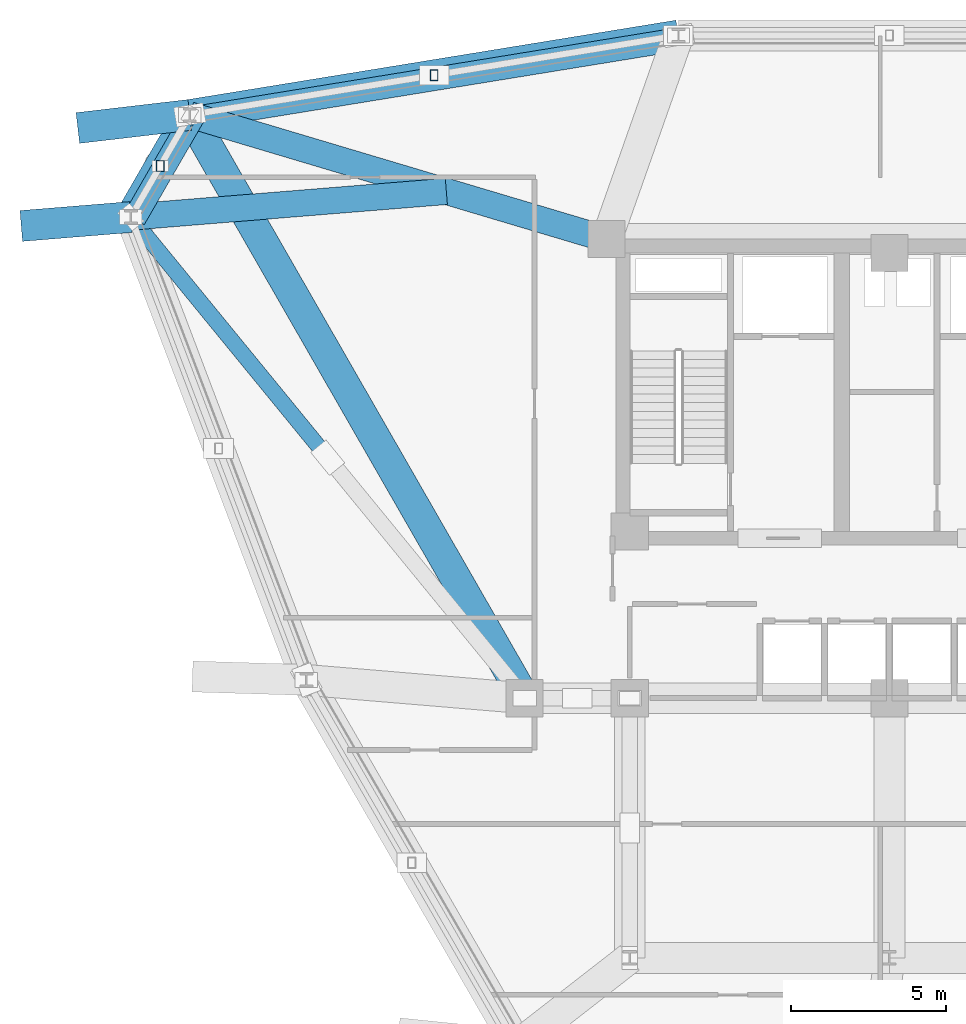
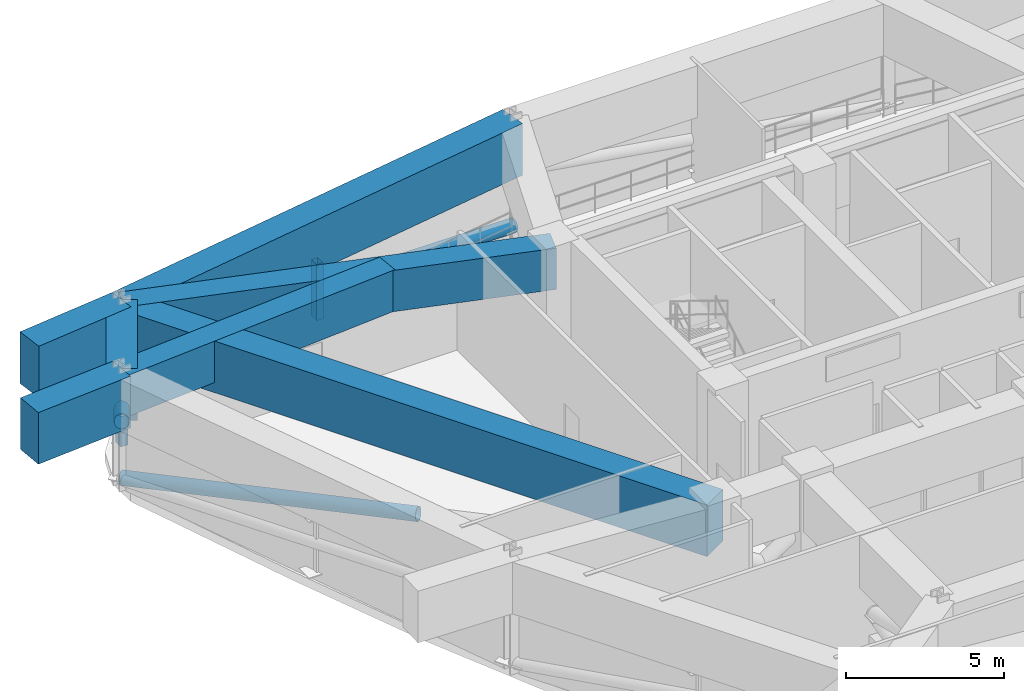
# One storey, part 5 of 13: 7 beams, 5 members.
"""IFC4 building model written with IfcOpenShell, lengths in metres."""

from ifc_helpers import new_model, si_unit, derived_unit, direction, frame, origin, origin_2d, place, context, subcontext, project, spatial, rectangle, hollow_rectangle, hollow_circle, extrude, source, transform, mapped, material, material_profile, profile_set, type_object, element, save


model = new_model("IFC4")

# Units and contexts
model_context = context("Model", 3, precision=1e-05, world=origin(), true_north=direction((0.0, 1.0)))
body_context = subcontext(model_context, "Body", "Model", "MODEL_VIEW")
ifc_project = project(units=[si_unit("LENGTHUNIT", "METRE"), si_unit("AREAUNIT", "SQUARE_METRE"), si_unit("VOLUMEUNIT", "CUBIC_METRE"), si_unit("PLANEANGLEUNIT", "RADIAN"), si_unit("MASSUNIT", "GRAM", prefix="KILO"), derived_unit("THERMALTRANSMITTANCEUNIT", [(si_unit("POWERUNIT", "WATT"), 1), (si_unit("LENGTHUNIT", "METRE"), -2), (si_unit("THERMODYNAMICTEMPERATUREUNIT", "KELVIN"), -1)])], contexts=[model_context])

# Site, building, storey
site_placement = place(None, origin())
site = spatial("IfcSite", under=ifc_project, at=site_placement, CompositionType="ELEMENT")
building_placement = place(site_placement, origin())
building = spatial("IfcBuilding", under=site, at=building_placement, Name="Korsvarv Bourse and Concert Hall", CompositionType="ELEMENT")
storey_placement = place(building_placement, frame((0.0, 0.0, 131.39990234375)))
storey = spatial("IfcBuildingStorey", under=building, at=storey_placement, Name="L33", CompositionType="ELEMENT", Elevation=131.39990234375)

# Beams
ifc_material_1 = material(Name="Concrete C60/75", Category="concrete")
ifc_material_profile_1 = material_profile(ifc_material_1, rectangle(XDim=1.0, YDim=2.0, at=origin_2d()), Name="RC-BM 1000x2000")
ifc_profile_set_1 = profile_set([ifc_material_profile_1], Name="Concrete C60/75")
beam_type_1 = type_object("IfcBeamType", Name="BM-TR1", PredefinedType="BEAM", material=ifc_profile_set_1)
shared_shape_1 = source(origin(), body_context, "Body", "SweptSolid", [
    extrude(rectangle(XDim=1.0, YDim=2.0, at=origin_2d()), origin(), (0.0, 0.0, 1.0), 3.81591796875),
])
beam_1_placement = place(storey_placement, frame((13.3662109375, 51.270751953125, 3.570068359375), z_axis=(-0.499999364504, -0.866025770688, 0.0), x_axis=(0.866025770688, -0.499999364504, 0.0)))
element("IfcBeam", 1, at=beam_1_placement, inside=storey, type_object=beam_type_1, Name="L33 beam B-TR1", PredefinedType="BEAM", context=body_context, shape_type="MappedRepresentation", body=[
    mapped(shared_shape_1, transform((0.0, 0.0, 0.0), scale=1.0)),
])
shared_shape_2 = source(origin(), body_context, "Body", "SweptSolid", [
    extrude(rectangle(XDim=1.0, YDim=2.0, at=origin_2d()), origin(), (0.0, 0.0, 1.0), 16.014892578125),
])
beam_2_placement = place(storey_placement, frame((29.17333984375, 53.84130859375, 3.570068359375), z_axis=(-0.98703396265, -0.160511546547, 0.0), x_axis=(0.160511546547, -0.98703396265, 0.0)))
element("IfcBeam", 2, at=beam_2_placement, inside=storey, type_object=beam_type_1, Name="L33 beam B-TR1", PredefinedType="BEAM", context=body_context, shape_type="MappedRepresentation", body=[
    mapped(shared_shape_2, transform((0.0, 0.0, 0.0), scale=1.0)),
])
shared_shape_3 = source(origin(), body_context, "Body", "SweptSolid", [
    extrude(rectangle(XDim=1.0, YDim=2.0, at=origin_2d()), origin(), (0.0, 0.0, 1.0), 21.759521484375),
])
beam_3_placement = place(storey_placement, frame((13.3662109375, 51.270751953125, 3.570068359375), z_axis=(0.497883927271, -0.867243676809, 0.0), x_axis=(0.867243676809, 0.497883927271, 0.0)))
element("IfcBeam", 3, at=beam_3_placement, inside=storey, type_object=beam_type_1, Name="L33 beam B-TR1", PredefinedType="BEAM", context=body_context, shape_type="MappedRepresentation", body=[
    mapped(shared_shape_3, transform((0.0, 0.0, 0.0), scale=1.0)),
])
shared_shape_4 = source(origin(), body_context, "Body", "SweptSolid", [
    extrude(rectangle(XDim=1.0, YDim=2.0, at=origin_2d()), origin(), (0.0, 0.0, 1.0), 3.6474609375),
])
beam_4_placement = place(storey_placement, frame((13.3662109375, 51.270751953125, 3.570068359375), z_axis=(-0.993226237834, -0.116196559666, 0.0), x_axis=(0.116196559666, -0.993226237834, 0.0)))
element("IfcBeam", 4, at=beam_4_placement, inside=storey, type_object=beam_type_1, Name="L33 Block-Shift Transfer Girder 5", PredefinedType="BEAM", context=body_context, shape_type="MappedRepresentation", body=[
    mapped(shared_shape_4, transform((0.0, 0.0, 0.0), scale=1.0)),
])
ifc_material_2 = material(Name="Concrete C55/67", Category="concrete")
ifc_material_profile_2 = material_profile(ifc_material_2, rectangle(XDim=0.85009765625, YDim=1.60009765625, at=origin_2d()), Name="RC-BM 850x1600")
ifc_profile_set_2 = profile_set([ifc_material_profile_2], Name="Concrete C55/67")
beam_type_2 = type_object("IfcBeamType", Name="BM-TR1B", PredefinedType="BEAM", material=ifc_profile_set_2)
shared_shape_5 = source(origin(), body_context, "Body", "SweptSolid", [
    extrude(rectangle(XDim=0.85009765625, YDim=1.60009765625, at=origin_2d()), origin(), (0.0, 0.0, 1.0), 14.070556640625),
])
beam_5_placement = place(storey_placement, frame((13.3662109375, 51.270751953125, 3.77001953125), z_axis=(0.958302516287, -0.285755642599, 0.0), x_axis=(0.285755642599, 0.958302516287, 0.0)))
element("IfcBeam", 5, at=beam_5_placement, inside=storey, type_object=beam_type_2, Name="L33 beam B-TR2", PredefinedType="BEAM", context=body_context, shape_type="MappedRepresentation", body=[
    mapped(shared_shape_5, transform((0.0, 0.0, 0.0), scale=1.0)),
])
shared_shape_6 = source(origin(), body_context, "Body", "SweptSolid", [
    extrude(rectangle(XDim=0.85009765625, YDim=1.60009765625, at=origin_2d()), origin(), (0.0, 0.0, 1.0), 10.241455078125),
])
beam_6_placement = place(storey_placement, frame((21.666015625, 48.7958984375, 3.77001953125), z_axis=(-0.996711899374, -0.081027092056, 0.0), x_axis=(0.081027092056, -0.996711899374, 0.0)))
element("IfcBeam", 6, at=beam_6_placement, inside=storey, type_object=beam_type_2, Name="L33 beam B-TR2", PredefinedType="BEAM", context=body_context, shape_type="MappedRepresentation", body=[
    mapped(shared_shape_6, transform((0.0, 0.0, 0.0), scale=1.0)),
])
shared_shape_7 = source(origin(), body_context, "Body", "SweptSolid", [
    extrude(rectangle(XDim=1.0, YDim=2.0, at=origin_2d()), origin(), (0.0, 0.0, 1.0), 3.55615234375),
])
beam_7_placement = place(storey_placement, frame((11.458251953125, 47.966064453125, 3.570068359375), z_axis=(-0.99671318582, -0.081011265964, 0.0), x_axis=(0.081011265964, -0.99671318582, 0.0)))
element("IfcBeam", 7, at=beam_7_placement, inside=storey, type_object=beam_type_1, Name="L33 Block-Shift Transfer Girder 6", PredefinedType="BEAM", context=body_context, shape_type="MappedRepresentation", body=[
    mapped(shared_shape_7, transform((0.0, 0.0, 0.0), scale=1.0)),
])

# Members
ifc_material_3 = material(Name="Steel S460", Category="steel")
ifc_material_profile_3 = material_profile(ifc_material_3, hollow_circle(Radius=0.25390625, WallThickness=0.02001953125, at=origin_2d()), Name="CHS 508x20")
ifc_profile_set_3 = profile_set([ifc_material_profile_3], Name="Steel S460")
member_type_1 = type_object("IfcMemberType", Name="MEM-CHS508", PredefinedType="BRACE", material=ifc_profile_set_3)
shared_shape_8 = source(origin(), body_context, "Body", "SweptSolid", [
    extrude(hollow_circle(Radius=0.25390625, WallThickness=0.02001953125, at=origin_2d()), origin(), (0.0, 0.0, 1.0), 10.1162109375),
])
member_1_placement = place(storey_placement, frame((11.458251953125, 47.966064453125, 0.35009765625), z_axis=(0.629761488956, -0.769349166753, 0.107248900438), x_axis=(0.773812359408, 0.633414897542, 0.0)))
element("IfcMember", 8, at=member_1_placement, inside=storey, type_object=member_type_1, Name="L33 Outrigger Truss W2 Split Diagonal 2A", PredefinedType="BRACE", context=body_context, shape_type="MappedRepresentation", body=[
    mapped(shared_shape_8, transform((0.0, 0.0, 0.0), scale=1.0)),
])
shared_shape_9 = source(origin(), body_context, "Body", "SweptSolid", [
    extrude(hollow_circle(Radius=0.25390625, WallThickness=0.02001953125, at=origin_2d()), origin(), (0.0, 0.0, 1.0), 4.3896484375),
])
member_2_placement = place(storey_placement, frame((13.3662109375, 51.270751953125, 0.35009765625), z_axis=(-0.434640424692, -0.752820574361, 0.494316582811), x_axis=(0.866025770688, -0.499999364504, 0.0)))
element("IfcMember", 9, at=member_2_placement, inside=storey, type_object=member_type_1, Name="L33 Perimeter Belt Truss Diagonal 5", PredefinedType="BRACE", context=body_context, shape_type="MappedRepresentation", body=[
    mapped(shared_shape_9, transform((0.0, 0.0, 0.0), scale=1.0)),
])
ifc_material_4 = material(Name="Steel S355", Category="steel")
ifc_material_profile_4 = material_profile(ifc_material_4, hollow_rectangle(XDim=0.25, YDim=0.35009765625, WallThickness=0.012451171875, at=origin_2d()), Name="RHS 350x250x12.5")
ifc_profile_set_4 = profile_set([ifc_material_profile_4], Name="Steel S355")
member_type_2 = type_object("IfcMemberType", Name="MEM-RHS350", PredefinedType="STRUT", material=ifc_profile_set_4)
shared_shape_10 = source(origin(), body_context, "Body", "SweptSolid", [
    extrude(hollow_rectangle(XDim=0.25, YDim=0.35009765625, WallThickness=0.012451171875, at=origin_2d()), origin(), (0.0, 0.0, 1.0), 2.169921875),
])
for number, where, z_axis, x_axis, name in (
    (10, (21.269775390625, 52.555908203125, 0.35009765625), (0.0, 0.0, 1.0), (1.0, 0.0, 0.0), "L33 Perimeter Belt Truss Strut 4"),
    (11, (12.412109375, 49.618408203125, 0.35009765625), (0.0, 0.0, 1.0), (1.0, 0.0, 0.0), "L33 Perimeter Belt Truss Strut 5"),
):
    element("IfcMember", number, at=place(storey_placement, frame(where, z_axis=z_axis, x_axis=x_axis)), inside=storey, type_object=member_type_2, Name=name, PredefinedType="STRUT", context=body_context, shape_type="MappedRepresentation", body=[
        mapped(shared_shape_10, transform((0.0, 0.0, 0.0), scale=1.0)),
    ])
shared_shape_11 = source(origin(), body_context, "Body", "SweptSolid", [
    extrude(hollow_circle(Radius=0.25390625, WallThickness=0.02001953125, at=origin_2d()), origin(), (0.0, 0.0, 1.0), 16.1611328125),
])
member_3_placement = place(storey_placement, frame((29.17333984375, 53.84130859375, 0.35009765625), z_axis=(-0.978096415127, -0.159058121812, 0.134268077374), x_axis=(0.160511546547, -0.98703396265, 0.0)))
element("IfcMember", 12, at=member_3_placement, inside=storey, type_object=member_type_1, Name="L33 Perimeter Belt Truss Diagonal 4", PredefinedType="BRACE", context=body_context, shape_type="MappedRepresentation", body=[
    mapped(shared_shape_11, transform((0.0, 0.0, 0.0), scale=1.0)),
])

save(model, "model.ifc")
